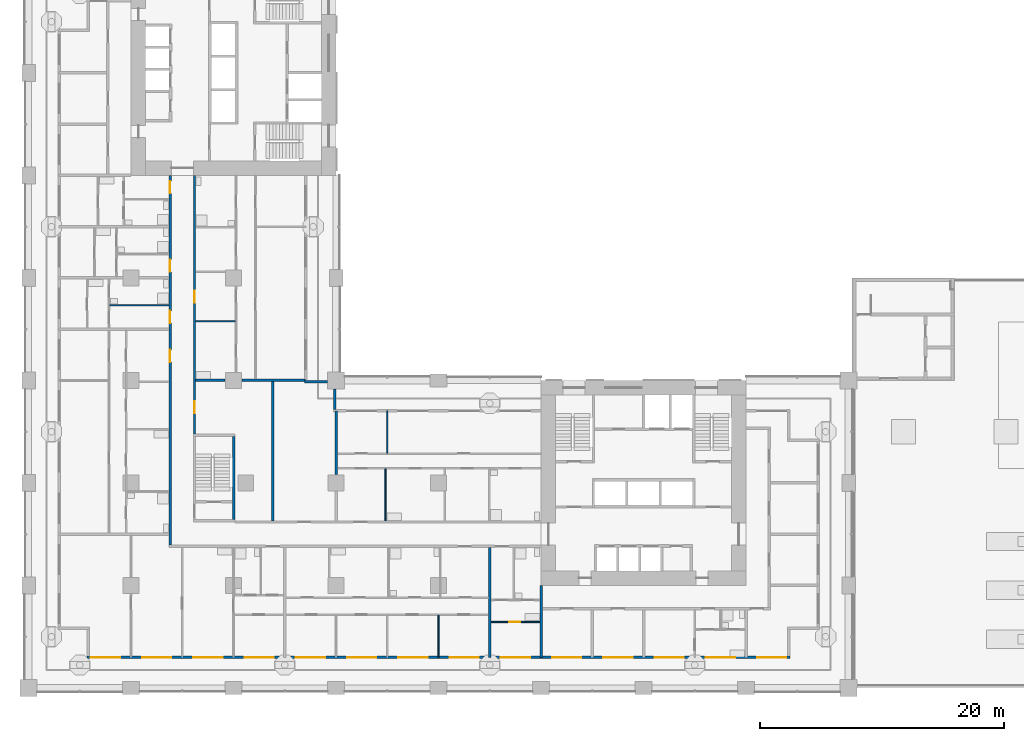
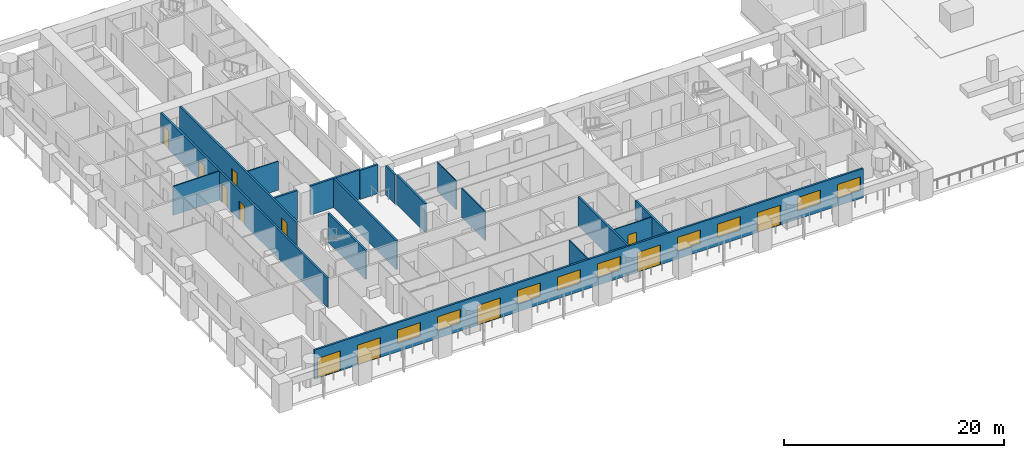
# One storey, part 5 of 23: 18 walls, 12 doors, 9 windows, 21 openings.
"""IFC4 building model written with IfcOpenShell, lengths in metres."""

from ifc_helpers import new_model, si_unit, direction, frame, frame_2d, origin, place, context, subcontext, project, spatial, rectangle, extrude, material, layer, layer_set, type_object, element, fill, save


model = new_model("IFC4")

# Units and contexts
model_context = context("Model", 3, precision=1e-05, world=origin(), true_north=direction((0.0, 1.0)))
body_context = subcontext(model_context, "Body", "Model", "MODEL_VIEW")
ifc_project = project(units=[si_unit("LENGTHUNIT", "METRE"), si_unit("AREAUNIT", "SQUARE_METRE"), si_unit("VOLUMEUNIT", "CUBIC_METRE"), si_unit("PLANEANGLEUNIT", "RADIAN"), si_unit("MASSUNIT", "GRAM", prefix="KILO")], contexts=[model_context])

# Site, building, storey
site_placement = place(None, origin())
site = spatial("IfcSite", under=ifc_project, at=site_placement, CompositionType="ELEMENT")
building_placement = place(site_placement, origin())
building = spatial("IfcBuilding", under=site, at=building_placement, Name="Vermilion Gate Residences", CompositionType="ELEMENT")
storey_placement = place(building_placement, frame((0.0, 0.0, 25.199951171875)))
storey = spatial("IfcBuildingStorey", under=building, at=storey_placement, Name="L04", CompositionType="ELEMENT", Elevation=25.199951171875)

# Wall, openings, doors, windows
ifc_material_1 = material(Name="Insulated steel stud wall with terracotta rainscreen", Category="masonry")
ifc_layer_1 = layer(ifc_material_1, 0.199951171875)
ifc_layer_set_1 = layer_set([ifc_layer_1], Name="EXTERNAL WALL 200 TERRACOTTA RAINSCREEN")
wall_type_1 = type_object("IfcWallType", Name="EXTERNAL WALL 200 TERRACOTTA RAINSCREEN", PredefinedType="SOLIDWALL", material=ifc_layer_set_1)
wall_1_placement = place(storey_placement, frame((4.800048828125, 2.5, 0.0), z_axis=(0.0, 0.0, 1.0), x_axis=(1.0, 0.0, 0.0)))
wall_1 = element("IfcWall", 1, at=wall_1_placement, inside=storey, type_object=wall_type_1, Name="External wall", PredefinedType="SOLIDWALL", context=body_context, shape_type="SweptSolid", body=[
    extrude(rectangle(XDim=57.599853515625, YDim=0.199951171875, at=frame_2d((28.7998046875, 0.0))), origin(), (0.0, 0.0, 1.0), 3.219970703125),
])
opening_1_placement = place(wall_1_placement, frame((0.300048828125, 0.0, 0.0)))
opening_1 = element("IfcOpeningElement", 2, at=opening_1_placement, cuts=wall_1, Name="Opening DE04014", PredefinedType="OPENING", context=body_context, shape_type="SweptSolid", body=[
    extrude(rectangle(XDim=2.39990234375, YDim=2.199951171875, at=frame_2d((1.199951171875, 1.10009765625))), frame((0.0, 0.10986328125, 0.0), z_axis=(0.0, -1.0, 0.0), x_axis=(1.0, 0.0, 0.0)), (0.0, 0.0, 1.0), 0.219970703125),
])
opening_2_placement = place(wall_1_placement, frame((4.5, 0.0, 0.0)))
opening_2 = element("IfcOpeningElement", 3, at=opening_2_placement, cuts=wall_1, Name="Opening DE04015", PredefinedType="OPENING", context=body_context, shape_type="SweptSolid", body=[
    extrude(rectangle(XDim=2.39990234375, YDim=2.199951171875, at=frame_2d((1.199951171875, 1.10009765625))), frame((0.0, 0.10986328125, 0.0), z_axis=(0.0, -1.0, 0.0), x_axis=(1.0, 0.0, 0.0)), (0.0, 0.0, 1.0), 0.219970703125),
])
opening_3_placement = place(wall_1_placement, frame((8.699951171875, 0.0, 0.89990234375)))
opening_3 = element("IfcOpeningElement", 4, at=opening_3_placement, cuts=wall_1, Name="Opening WE04016", PredefinedType="OPENING", context=body_context, shape_type="SweptSolid", body=[
    extrude(rectangle(XDim=2.39990234375, YDim=1.5, at=frame_2d((1.199951171875, 0.75))), frame((0.0, 0.10986328125, 0.0), z_axis=(0.0, -1.0, 0.0), x_axis=(1.0, 0.0, 0.0)), (0.0, 0.0, 1.0), 0.219970703125),
])
opening_4_placement = place(wall_1_placement, frame((12.89990234375, 0.0, 0.89990234375)))
opening_4 = element("IfcOpeningElement", 5, at=opening_4_placement, cuts=wall_1, Name="Opening WE04017", PredefinedType="OPENING", context=body_context, shape_type="SweptSolid", body=[
    extrude(rectangle(XDim=2.39990234375, YDim=1.5, at=frame_2d((1.199951171875, 0.75))), frame((0.0, 0.10986328125, 0.0), z_axis=(0.0, -1.0, 0.0), x_axis=(1.0, 0.0, 0.0)), (0.0, 0.0, 1.0), 0.219970703125),
])
opening_5_placement = place(wall_1_placement, frame((17.10009765625, 0.0, 0.0)))
opening_5 = element("IfcOpeningElement", 6, at=opening_5_placement, cuts=wall_1, Name="Opening DE04018", PredefinedType="OPENING", context=body_context, shape_type="SweptSolid", body=[
    extrude(rectangle(XDim=2.39990234375, YDim=2.199951171875, at=frame_2d((1.199951171875, 1.10009765625))), frame((0.0, 0.10986328125, 0.0), z_axis=(0.0, -1.0, 0.0), x_axis=(1.0, 0.0, 0.0)), (0.0, 0.0, 1.0), 0.219970703125),
])
opening_6_placement = place(wall_1_placement, frame((21.300048828125, 0.0, 0.89990234375)))
opening_6 = element("IfcOpeningElement", 7, at=opening_6_placement, cuts=wall_1, Name="Opening WE04019", PredefinedType="OPENING", context=body_context, shape_type="SweptSolid", body=[
    extrude(rectangle(XDim=2.39990234375, YDim=1.5, at=frame_2d((1.199951171875, 0.75))), frame((0.0, 0.10986328125, 0.0), z_axis=(0.0, -1.0, 0.0), x_axis=(1.0, 0.0, 0.0)), (0.0, 0.0, 1.0), 0.219970703125),
])
opening_7_placement = place(wall_1_placement, frame((25.5, 0.0, 0.89990234375)))
opening_7 = element("IfcOpeningElement", 8, at=opening_7_placement, cuts=wall_1, Name="Opening WE04020", PredefinedType="OPENING", context=body_context, shape_type="SweptSolid", body=[
    extrude(rectangle(XDim=2.39990234375, YDim=1.5, at=frame_2d((1.199951171875, 0.75))), frame((0.0, 0.10986328125, 0.0), z_axis=(0.0, -1.0, 0.0), x_axis=(1.0, 0.0, 0.0)), (0.0, 0.0, 1.0), 0.219970703125),
])
opening_8_placement = place(wall_1_placement, frame((29.699951171875, 0.0, 0.89990234375)))
opening_8 = element("IfcOpeningElement", 9, at=opening_8_placement, cuts=wall_1, Name="Opening WE04021", PredefinedType="OPENING", context=body_context, shape_type="SweptSolid", body=[
    extrude(rectangle(XDim=2.39990234375, YDim=1.5, at=frame_2d((1.199951171875, 0.75))), frame((0.0, 0.10986328125, 0.0), z_axis=(0.0, -1.0, 0.0), x_axis=(1.0, 0.0, 0.0)), (0.0, 0.0, 1.0), 0.219970703125),
])
opening_9_placement = place(wall_1_placement, frame((33.89990234375, 0.0, 0.0)))
opening_9 = element("IfcOpeningElement", 10, at=opening_9_placement, cuts=wall_1, Name="Opening DE04022", PredefinedType="OPENING", context=body_context, shape_type="SweptSolid", body=[
    extrude(rectangle(XDim=2.39990234375, YDim=2.199951171875, at=frame_2d((1.199951171875, 1.10009765625))), frame((0.0, 0.10986328125, 0.0), z_axis=(0.0, -1.0, 0.0), x_axis=(1.0, 0.0, 0.0)), (0.0, 0.0, 1.0), 0.219970703125),
])
opening_10_placement = place(wall_1_placement, frame((38.10009765625, 0.0, 0.89990234375)))
opening_10 = element("IfcOpeningElement", 11, at=opening_10_placement, cuts=wall_1, Name="Opening WE04023", PredefinedType="OPENING", context=body_context, shape_type="SweptSolid", body=[
    extrude(rectangle(XDim=2.39990234375, YDim=1.5, at=frame_2d((1.199951171875, 0.75))), frame((0.0, 0.10986328125, 0.0), z_axis=(0.0, -1.0, 0.0), x_axis=(1.0, 0.0, 0.0)), (0.0, 0.0, 1.0), 0.219970703125),
])
opening_11_placement = place(wall_1_placement, frame((42.300048828125, 0.0, 0.89990234375)))
opening_11 = element("IfcOpeningElement", 12, at=opening_11_placement, cuts=wall_1, Name="Opening WE04024", PredefinedType="OPENING", context=body_context, shape_type="SweptSolid", body=[
    extrude(rectangle(XDim=2.39990234375, YDim=1.5, at=frame_2d((1.199951171875, 0.75))), frame((0.0, 0.10986328125, 0.0), z_axis=(0.0, -1.0, 0.0), x_axis=(1.0, 0.0, 0.0)), (0.0, 0.0, 1.0), 0.219970703125),
])
opening_12_placement = place(wall_1_placement, frame((46.5, 0.0, 0.0)))
opening_12 = element("IfcOpeningElement", 13, at=opening_12_placement, cuts=wall_1, Name="Opening DE04025", PredefinedType="OPENING", context=body_context, shape_type="SweptSolid", body=[
    extrude(rectangle(XDim=2.39990234375, YDim=2.199951171875, at=frame_2d((1.199951171875, 1.10009765625))), frame((0.0, 0.10986328125, 0.0), z_axis=(0.0, -1.0, 0.0), x_axis=(1.0, 0.0, 0.0)), (0.0, 0.0, 1.0), 0.219970703125),
])
opening_13_placement = place(wall_1_placement, frame((50.699951171875, 0.0, 0.89990234375)))
opening_13 = element("IfcOpeningElement", 14, at=opening_13_placement, cuts=wall_1, Name="Opening WE04026", PredefinedType="OPENING", context=body_context, shape_type="SweptSolid", body=[
    extrude(rectangle(XDim=2.39990234375, YDim=1.5, at=frame_2d((1.199951171875, 0.75))), frame((0.0, 0.10986328125, 0.0), z_axis=(0.0, -1.0, 0.0), x_axis=(1.0, 0.0, 0.0)), (0.0, 0.0, 1.0), 0.219970703125),
])
opening_14_placement = place(wall_1_placement, frame((54.89990234375, 0.0, 0.89990234375)))
opening_14 = element("IfcOpeningElement", 15, at=opening_14_placement, cuts=wall_1, Name="Opening WE04027", PredefinedType="OPENING", context=body_context, shape_type="SweptSolid", body=[
    extrude(rectangle(XDim=2.39990234375, YDim=1.5, at=frame_2d((1.199951171875, 0.75))), frame((0.0, 0.10986328125, 0.0), z_axis=(0.0, -1.0, 0.0), x_axis=(1.0, 0.0, 0.0)), (0.0, 0.0, 1.0), 0.219970703125),
])
ifc_material_2 = material(Name="Aluminium and clear glass", Category="aluminium")
door_type_1 = type_object("IfcDoorType", Name="SLIDING GLAZED DOOR 2400 X 2200", OperationType="DOUBLE_DOOR_SLIDING", PredefinedType="DOOR", material=ifc_material_2)
door_1_placement = place(opening_1_placement, origin())
door_1 = element("IfcDoor", 16, at=door_1_placement, inside=storey, type_object=door_type_1, Name="Loggia sliding door", OperationType="DOUBLE_DOOR_SLIDING", OverallHeight=2.199951171875, OverallWidth=2.39990234375, PredefinedType="DOOR", context=body_context, shape_type="SweptSolid", body=[
    extrude(rectangle(XDim=2.39990234375, YDim=2.199951171875, at=frame_2d((1.199951171875, 1.10009765625))), frame((0.0, 0.02490234375, 0.0), z_axis=(0.0, -1.0, 0.0), x_axis=(1.0, 0.0, 0.0)), (0.0, 0.0, 1.0), 0.050048828125),
])
fill(opening_1, door_1)
door_2_placement = place(opening_2_placement, origin())
door_2 = element("IfcDoor", 17, at=door_2_placement, inside=storey, type_object=door_type_1, Name="Loggia sliding door", OperationType="DOUBLE_DOOR_SLIDING", OverallHeight=2.199951171875, OverallWidth=2.39990234375, PredefinedType="DOOR", context=body_context, shape_type="SweptSolid", body=[
    extrude(rectangle(XDim=2.39990234375, YDim=2.199951171875, at=frame_2d((1.199951171875, 1.10009765625))), frame((0.0, 0.02490234375, 0.0), z_axis=(0.0, -1.0, 0.0), x_axis=(1.0, 0.0, 0.0)), (0.0, 0.0, 1.0), 0.050048828125),
])
fill(opening_2, door_2)
door_3_placement = place(opening_5_placement, origin())
door_3 = element("IfcDoor", 18, at=door_3_placement, inside=storey, type_object=door_type_1, Name="Loggia sliding door", OperationType="DOUBLE_DOOR_SLIDING", OverallHeight=2.199951171875, OverallWidth=2.39990234375, PredefinedType="DOOR", context=body_context, shape_type="SweptSolid", body=[
    extrude(rectangle(XDim=2.39990234375, YDim=2.199951171875, at=frame_2d((1.199951171875, 1.10009765625))), frame((0.0, 0.02490234375, 0.0), z_axis=(0.0, -1.0, 0.0), x_axis=(1.0, 0.0, 0.0)), (0.0, 0.0, 1.0), 0.050048828125),
])
fill(opening_5, door_3)
door_4_placement = place(opening_9_placement, origin())
door_4 = element("IfcDoor", 19, at=door_4_placement, inside=storey, type_object=door_type_1, Name="Loggia sliding door", OperationType="DOUBLE_DOOR_SLIDING", OverallHeight=2.199951171875, OverallWidth=2.39990234375, PredefinedType="DOOR", context=body_context, shape_type="SweptSolid", body=[
    extrude(rectangle(XDim=2.39990234375, YDim=2.199951171875, at=frame_2d((1.199951171875, 1.10009765625))), frame((0.0, 0.02490234375, 0.0), z_axis=(0.0, -1.0, 0.0), x_axis=(1.0, 0.0, 0.0)), (0.0, 0.0, 1.0), 0.050048828125),
])
fill(opening_9, door_4)
door_5_placement = place(opening_12_placement, origin())
door_5 = element("IfcDoor", 20, at=door_5_placement, inside=storey, type_object=door_type_1, Name="Loggia sliding door", OperationType="DOUBLE_DOOR_SLIDING", OverallHeight=2.199951171875, OverallWidth=2.39990234375, PredefinedType="DOOR", context=body_context, shape_type="SweptSolid", body=[
    extrude(rectangle(XDim=2.39990234375, YDim=2.199951171875, at=frame_2d((1.199951171875, 1.10009765625))), frame((0.0, 0.02490234375, 0.0), z_axis=(0.0, -1.0, 0.0), x_axis=(1.0, 0.0, 0.0)), (0.0, 0.0, 1.0), 0.050048828125),
])
fill(opening_12, door_5)
ifc_material_3 = material(Name="Aluminium and clear glass", Category="aluminium")
window_type = type_object("IfcWindowType", Name="WINDOW 2400 X 1500", PartitioningType="SINGLE_PANEL", PredefinedType="WINDOW", material=ifc_material_3)
window_1_placement = place(opening_3_placement, origin())
window_1 = element("IfcWindow", 21, at=window_1_placement, inside=storey, type_object=window_type, Name="Window", OverallHeight=1.5, OverallWidth=2.39990234375, PartitioningType="SINGLE_PANEL", PredefinedType="WINDOW", context=body_context, shape_type="SweptSolid", body=[
    extrude(rectangle(XDim=2.39990234375, YDim=1.5, at=frame_2d((1.199951171875, 0.75))), frame((0.0, 0.030029296875, 0.0), z_axis=(0.0, -1.0, 0.0), x_axis=(1.0, 0.0, 0.0)), (0.0, 0.0, 1.0), 0.06005859375),
])
fill(opening_3, window_1)
window_2_placement = place(opening_4_placement, origin())
window_2 = element("IfcWindow", 22, at=window_2_placement, inside=storey, type_object=window_type, Name="Window", OverallHeight=1.5, OverallWidth=2.39990234375, PartitioningType="SINGLE_PANEL", PredefinedType="WINDOW", context=body_context, shape_type="SweptSolid", body=[
    extrude(rectangle(XDim=2.39990234375, YDim=1.5, at=frame_2d((1.199951171875, 0.75))), frame((0.0, 0.030029296875, 0.0), z_axis=(0.0, -1.0, 0.0), x_axis=(1.0, 0.0, 0.0)), (0.0, 0.0, 1.0), 0.06005859375),
])
fill(opening_4, window_2)
window_3_placement = place(opening_6_placement, origin())
window_3 = element("IfcWindow", 23, at=window_3_placement, inside=storey, type_object=window_type, Name="Window", OverallHeight=1.5, OverallWidth=2.39990234375, PartitioningType="SINGLE_PANEL", PredefinedType="WINDOW", context=body_context, shape_type="SweptSolid", body=[
    extrude(rectangle(XDim=2.39990234375, YDim=1.5, at=frame_2d((1.199951171875, 0.75))), frame((0.0, 0.030029296875, 0.0), z_axis=(0.0, -1.0, 0.0), x_axis=(1.0, 0.0, 0.0)), (0.0, 0.0, 1.0), 0.06005859375),
])
fill(opening_6, window_3)
window_4_placement = place(opening_7_placement, origin())
window_4 = element("IfcWindow", 24, at=window_4_placement, inside=storey, type_object=window_type, Name="Window", OverallHeight=1.5, OverallWidth=2.39990234375, PartitioningType="SINGLE_PANEL", PredefinedType="WINDOW", context=body_context, shape_type="SweptSolid", body=[
    extrude(rectangle(XDim=2.39990234375, YDim=1.5, at=frame_2d((1.199951171875, 0.75))), frame((0.0, 0.030029296875, 0.0), z_axis=(0.0, -1.0, 0.0), x_axis=(1.0, 0.0, 0.0)), (0.0, 0.0, 1.0), 0.06005859375),
])
fill(opening_7, window_4)
window_5_placement = place(opening_8_placement, origin())
window_5 = element("IfcWindow", 25, at=window_5_placement, inside=storey, type_object=window_type, Name="Window", OverallHeight=1.5, OverallWidth=2.39990234375, PartitioningType="SINGLE_PANEL", PredefinedType="WINDOW", context=body_context, shape_type="SweptSolid", body=[
    extrude(rectangle(XDim=2.39990234375, YDim=1.5, at=frame_2d((1.199951171875, 0.75))), frame((0.0, 0.030029296875, 0.0), z_axis=(0.0, -1.0, 0.0), x_axis=(1.0, 0.0, 0.0)), (0.0, 0.0, 1.0), 0.06005859375),
])
fill(opening_8, window_5)
window_6_placement = place(opening_10_placement, origin())
window_6 = element("IfcWindow", 26, at=window_6_placement, inside=storey, type_object=window_type, Name="Window", OverallHeight=1.5, OverallWidth=2.39990234375, PartitioningType="SINGLE_PANEL", PredefinedType="WINDOW", context=body_context, shape_type="SweptSolid", body=[
    extrude(rectangle(XDim=2.39990234375, YDim=1.5, at=frame_2d((1.199951171875, 0.75))), frame((0.0, 0.030029296875, 0.0), z_axis=(0.0, -1.0, 0.0), x_axis=(1.0, 0.0, 0.0)), (0.0, 0.0, 1.0), 0.06005859375),
])
fill(opening_10, window_6)
window_7_placement = place(opening_11_placement, origin())
window_7 = element("IfcWindow", 27, at=window_7_placement, inside=storey, type_object=window_type, Name="Window", OverallHeight=1.5, OverallWidth=2.39990234375, PartitioningType="SINGLE_PANEL", PredefinedType="WINDOW", context=body_context, shape_type="SweptSolid", body=[
    extrude(rectangle(XDim=2.39990234375, YDim=1.5, at=frame_2d((1.199951171875, 0.75))), frame((0.0, 0.030029296875, 0.0), z_axis=(0.0, -1.0, 0.0), x_axis=(1.0, 0.0, 0.0)), (0.0, 0.0, 1.0), 0.06005859375),
])
fill(opening_11, window_7)
window_8_placement = place(opening_13_placement, origin())
window_8 = element("IfcWindow", 28, at=window_8_placement, inside=storey, type_object=window_type, Name="Window", OverallHeight=1.5, OverallWidth=2.39990234375, PartitioningType="SINGLE_PANEL", PredefinedType="WINDOW", context=body_context, shape_type="SweptSolid", body=[
    extrude(rectangle(XDim=2.39990234375, YDim=1.5, at=frame_2d((1.199951171875, 0.75))), frame((0.0, 0.030029296875, 0.0), z_axis=(0.0, -1.0, 0.0), x_axis=(1.0, 0.0, 0.0)), (0.0, 0.0, 1.0), 0.06005859375),
])
fill(opening_13, window_8)
window_9_placement = place(opening_14_placement, origin())
window_9 = element("IfcWindow", 29, at=window_9_placement, inside=storey, type_object=window_type, Name="Window", OverallHeight=1.5, OverallWidth=2.39990234375, PartitioningType="SINGLE_PANEL", PredefinedType="WINDOW", context=body_context, shape_type="SweptSolid", body=[
    extrude(rectangle(XDim=2.39990234375, YDim=1.5, at=frame_2d((1.199951171875, 0.75))), frame((0.0, 0.030029296875, 0.0), z_axis=(0.0, -1.0, 0.0), x_axis=(1.0, 0.0, 0.0)), (0.0, 0.0, 1.0), 0.06005859375),
])
fill(opening_14, window_9)

# Walls
wall_2_placement = place(storey_placement, frame((25.10009765625, 22.800048828125, 0.0), z_axis=(0.0, 0.0, 1.0), x_axis=(0.0, 1.0, 0.0)))
element("IfcWall", 30, at=wall_2_placement, inside=storey, type_object=wall_type_1, Name="External wall", PredefinedType="SOLIDWALL", context=body_context, shape_type="SweptSolid", body=[
    extrude(rectangle(XDim=1.699951171875, YDim=0.199951171875, at=frame_2d((0.85009765625, 0.0))), origin(), (0.0, 0.0, 1.0), 3.219970703125),
])
wall_3_placement = place(storey_placement, frame((24.5, 25.10009765625, 0.0), z_axis=(0.0, 0.0, 1.0), x_axis=(-1.0, 0.0, 0.0)))
element("IfcWall", 31, at=wall_3_placement, inside=storey, type_object=wall_type_1, Name="External wall", PredefinedType="SOLIDWALL", context=body_context, shape_type="SweptSolid", body=[
    extrude(rectangle(XDim=1.89990234375, YDim=0.199951171875, at=frame_2d((0.949951171875, 0.0))), origin(), (0.0, 0.0, 1.0), 3.219970703125),
])

# Wall, opening, door
ifc_material_4 = material(Name="Plasterboard on steel studs", Category="steel")
ifc_layer_2 = layer(ifc_material_4, 0.10009765625)
ifc_layer_set_2 = layer_set([ifc_layer_2], Name="PARTITION 100")
wall_type_2 = type_object("IfcWallType", Name="PARTITION 100", PredefinedType="PARTITIONING", material=ifc_layer_set_2)
wall_4_placement = place(storey_placement, frame((37.89990234375, 5.39990234375, 0.0), z_axis=(0.0, 0.0, 1.0), x_axis=(1.0, 0.0, 0.0)))
wall_4 = element("IfcWall", 32, at=wall_4_placement, inside=storey, type_object=wall_type_2, Name="Partition", PredefinedType="PARTITIONING", context=body_context, shape_type="SweptSolid", body=[
    extrude(rectangle(XDim=4.0, YDim=0.10009765625, at=frame_2d((2.0, 0.0))), origin(), (0.0, 0.0, 1.0), 3.219970703125),
])
opening_15_placement = place(wall_4_placement, frame((1.5, 0.0, 0.0)))
opening_15 = element("IfcOpeningElement", 33, at=opening_15_placement, cuts=wall_4, Name="Opening DA04003", PredefinedType="OPENING", context=body_context, shape_type="SweptSolid", body=[
    extrude(rectangle(XDim=0.89990234375, YDim=2.10009765625, at=frame_2d((0.449951171875, 1.050048828125))), frame((0.0, 0.06005859375, 0.0), z_axis=(0.0, -1.0, 0.0), x_axis=(1.0, 0.0, 0.0)), (0.0, 0.0, 1.0), 0.1201171875),
])
ifc_material_5 = material(Name="Timber", Category="wood")
door_type_2 = type_object("IfcDoorType", Name="INTERIOR DOOR 900 X 2100", OperationType="SINGLE_SWING_LEFT", PredefinedType="DOOR", material=ifc_material_5)
door_6_placement = place(opening_15_placement, origin())
door_6 = element("IfcDoor", 34, at=door_6_placement, inside=storey, type_object=door_type_2, Name="Interior door", OperationType="SINGLE_SWING_RIGHT", OverallHeight=2.10009765625, OverallWidth=0.89990234375, PredefinedType="DOOR", context=body_context, shape_type="SweptSolid", body=[
    extrude(rectangle(XDim=0.89990234375, YDim=2.10009765625, at=frame_2d((0.449951171875, 1.050048828125))), frame((0.0, 0.02490234375, 0.0), z_axis=(0.0, -1.0, 0.0), x_axis=(1.0, 0.0, 0.0)), (0.0, 0.0, 1.0), 0.050048828125),
])
fill(opening_15, door_6)

# Walls
wall_5_placement = place(storey_placement, frame((13.699951171875, 30.050048828125, 0.0), z_axis=(0.0, 0.0, 1.0), x_axis=(1.0, 0.0, 0.0)))
element("IfcWall", 35, at=wall_5_placement, inside=storey, type_object=wall_type_2, Name="Partition", PredefinedType="PARTITIONING", context=body_context, shape_type="SweptSolid", body=[
    extrude(rectangle(XDim=3.25, YDim=0.10009765625, at=frame_2d((1.625, 0.0))), origin(), (0.0, 0.0, 1.0), 3.219970703125),
])
wall_6_placement = place(storey_placement, frame((6.64990234375, 31.360107421875, 0.0), z_axis=(0.0, 0.0, 1.0), x_axis=(1.0, 0.0, 0.0)))
element("IfcWall", 36, at=wall_6_placement, inside=storey, type_object=wall_type_2, Name="Partition", PredefinedType="PARTITIONING", context=body_context, shape_type="SweptSolid", body=[
    extrude(rectangle(XDim=4.85009765625, YDim=0.10009765625, at=frame_2d((2.425048828125, 0.0))), origin(), (0.0, 0.0, 1.0), 3.219970703125),
])
wall_7_placement = place(storey_placement, frame((29.25, 13.699951171875, 0.0), z_axis=(0.0, 0.0, 1.0), x_axis=(0.0, 1.0, 0.0)))
element("IfcWall", 37, at=wall_7_placement, inside=storey, type_object=wall_type_2, Name="Partition", PredefinedType="PARTITIONING", context=body_context, shape_type="SweptSolid", body=[
    extrude(rectangle(XDim=4.25, YDim=0.10009765625, at=frame_2d((2.125, 0.0))), origin(), (0.0, 0.0, 1.0), 3.219970703125),
])
for number, where, z_axis, x_axis, name in (
    (38, (29.39990234375, 19.25, 0.0), (0.0, 0.0, 1.0), (0.0, 1.0, 0.0), "Partition"),
    (39, (33.60009765625, 2.5, 0.0), (0.0, 0.0, 1.0), (0.0, 1.0, 0.0), "Partition"),
):
    element("IfcWall", number, at=place(storey_placement, frame(where, z_axis=z_axis, x_axis=x_axis)), inside=storey, type_object=wall_type_2, Name=name, PredefinedType="PARTITIONING", context=body_context, shape_type="SweptSolid", body=[
        extrude(rectangle(XDim=3.449951171875, YDim=0.10009765625, at=frame_2d((1.72509765625, 0.0))), origin(), (0.0, 0.0, 1.0), 3.219970703125),
    ])
ifc_material_6 = material(Name="Fire-rated plasterboard on steel studs", Category="steel")
ifc_layer_3 = layer(ifc_material_6, 0.199951171875)
ifc_layer_set_3 = layer_set([ifc_layer_3], Name="PARTY WALL 200 EI 120")
wall_type_3 = type_object("IfcWallType", Name="PARTY WALL 200 EI 120", PredefinedType="PARTITIONING", material=ifc_layer_set_3)
wall_8_placement = place(storey_placement, frame((13.699951171875, 25.199951171875, 0.0), z_axis=(0.0, 0.0, 1.0), x_axis=(1.0, 0.0, 0.0)))
element("IfcWall", 40, at=wall_8_placement, inside=storey, type_object=wall_type_3, Name="Party and corridor wall", PredefinedType="PARTITIONING", context=body_context, shape_type="SweptSolid", body=[
    extrude(rectangle(XDim=2.400146484375, YDim=0.199951171875, at=frame_2d((1.2001953125, 0.0))), origin(), (0.0, 0.0, 1.0), 3.219970703125),
])
wall_9_placement = place(storey_placement, frame((17.5, 25.199951171875, 0.0), z_axis=(0.0, 0.0, 1.0), x_axis=(1.0, 0.0, 0.0)))
element("IfcWall", 41, at=wall_9_placement, inside=storey, type_object=wall_type_3, Name="Party and corridor wall", PredefinedType="PARTITIONING", context=body_context, shape_type="SweptSolid", body=[
    extrude(rectangle(XDim=5.199951171875, YDim=0.199951171875, at=frame_2d((2.60009765625, 0.0))), origin(), (0.0, 0.0, 1.0), 3.219970703125),
])

# Wall, openings, doors
wall_10_placement = place(storey_placement, frame((11.60009765625, 11.699951171875, 0.0), z_axis=(0.0, 0.0, 1.0), x_axis=(0.0, 1.0, 0.0)))
wall_10 = element("IfcWall", 42, at=wall_10_placement, inside=storey, type_object=wall_type_3, Name="Party and corridor wall", PredefinedType="PARTITIONING", context=body_context, shape_type="SweptSolid", body=[
    extrude(rectangle(XDim=30.300048828125, YDim=0.199951171875, at=frame_2d((15.14990234375, 0.0))), origin(), (0.0, 0.0, 1.0), 3.219970703125),
])
opening_16_placement = place(wall_10_placement, frame((15.0, 0.0, 0.0)))
opening_16 = element("IfcOpeningElement", 43, at=opening_16_placement, cuts=wall_10, Name="Opening DA04051", PredefinedType="OPENING", context=body_context, shape_type="SweptSolid", body=[
    extrude(rectangle(XDim=1.0, YDim=2.10009765625, at=frame_2d((0.5, 1.050048828125))), frame((0.0, 0.10986328125, 0.0), z_axis=(0.0, -1.0, 0.0), x_axis=(1.0, 0.0, 0.0)), (0.0, 0.0, 1.0), 0.219970703125),
])
opening_17_placement = place(wall_10_placement, frame((18.199951171875, 0.0, 0.0)))
opening_17 = element("IfcOpeningElement", 44, at=opening_17_placement, cuts=wall_10, Name="Opening DA04052", PredefinedType="OPENING", context=body_context, shape_type="SweptSolid", body=[
    extrude(rectangle(XDim=1.0, YDim=2.10009765625, at=frame_2d((0.5, 1.050048828125))), frame((0.0, 0.10986328125, 0.0), z_axis=(0.0, -1.0, 0.0), x_axis=(1.0, 0.0, 0.0)), (0.0, 0.0, 1.0), 0.219970703125),
])
opening_18_placement = place(wall_10_placement, frame((22.39990234375, 0.0, 0.0)))
opening_18 = element("IfcOpeningElement", 45, at=opening_18_placement, cuts=wall_10, Name="Opening DA04053", PredefinedType="OPENING", context=body_context, shape_type="SweptSolid", body=[
    extrude(rectangle(XDim=1.0, YDim=2.10009765625, at=frame_2d((0.5, 1.050048828125))), frame((0.0, 0.10986328125, 0.0), z_axis=(0.0, -1.0, 0.0), x_axis=(1.0, 0.0, 0.0)), (0.0, 0.0, 1.0), 0.219970703125),
])
opening_19_placement = place(wall_10_placement, frame((28.840087890625, 0.0, 0.0)))
opening_19 = element("IfcOpeningElement", 46, at=opening_19_placement, cuts=wall_10, Name="Opening DA04054", PredefinedType="OPENING", context=body_context, shape_type="SweptSolid", body=[
    extrude(rectangle(XDim=1.0, YDim=2.10009765625, at=frame_2d((0.5, 1.050048828125))), frame((0.0, 0.10986328125, 0.0), z_axis=(0.0, -1.0, 0.0), x_axis=(1.0, 0.0, 0.0)), (0.0, 0.0, 1.0), 0.219970703125),
])
ifc_material_7 = material(Name="Steel", Category="steel")
door_type_3 = type_object("IfcDoorType", Name="ENTRANCE DOOR 1000 X 2100 FD30", OperationType="SINGLE_SWING_LEFT", PredefinedType="DOOR", material=ifc_material_7)
door_7_placement = place(opening_16_placement, origin())
door_7 = element("IfcDoor", 47, at=door_7_placement, inside=storey, type_object=door_type_3, Name="Entrance door", OperationType="SINGLE_SWING_LEFT", OverallHeight=2.10009765625, OverallWidth=1.0, PredefinedType="DOOR", context=body_context, shape_type="SweptSolid", body=[
    extrude(rectangle(XDim=1.0, YDim=2.10009765625, at=frame_2d((0.5, 1.050048828125))), frame((0.0, 0.02490234375, 0.0), z_axis=(0.0, -1.0, 0.0), x_axis=(1.0, 0.0, 0.0)), (0.0, 0.0, 1.0), 0.050048828125),
])
fill(opening_16, door_7)
door_8_placement = place(opening_17_placement, origin())
door_8 = element("IfcDoor", 48, at=door_8_placement, inside=storey, type_object=door_type_3, Name="Entrance door", OperationType="SINGLE_SWING_LEFT", OverallHeight=2.10009765625, OverallWidth=1.0, PredefinedType="DOOR", context=body_context, shape_type="SweptSolid", body=[
    extrude(rectangle(XDim=1.0, YDim=2.10009765625, at=frame_2d((0.5, 1.050048828125))), frame((0.0, 0.02490234375, 0.0), z_axis=(0.0, -1.0, 0.0), x_axis=(1.0, 0.0, 0.0)), (0.0, 0.0, 1.0), 0.050048828125),
])
fill(opening_17, door_8)
door_9_placement = place(opening_18_placement, origin())
door_9 = element("IfcDoor", 49, at=door_9_placement, inside=storey, type_object=door_type_3, Name="Entrance door", OperationType="SINGLE_SWING_LEFT", OverallHeight=2.10009765625, OverallWidth=1.0, PredefinedType="DOOR", context=body_context, shape_type="SweptSolid", body=[
    extrude(rectangle(XDim=1.0, YDim=2.10009765625, at=frame_2d((0.5, 1.050048828125))), frame((0.0, 0.02490234375, 0.0), z_axis=(0.0, -1.0, 0.0), x_axis=(1.0, 0.0, 0.0)), (0.0, 0.0, 1.0), 0.050048828125),
])
fill(opening_18, door_9)
door_10_placement = place(opening_19_placement, origin())
door_10 = element("IfcDoor", 50, at=door_10_placement, inside=storey, type_object=door_type_3, Name="Entrance door", OperationType="SINGLE_SWING_LEFT", OverallHeight=2.10009765625, OverallWidth=1.0, PredefinedType="DOOR", context=body_context, shape_type="SweptSolid", body=[
    extrude(rectangle(XDim=1.0, YDim=2.10009765625, at=frame_2d((0.5, 1.050048828125))), frame((0.0, 0.02490234375, 0.0), z_axis=(0.0, -1.0, 0.0), x_axis=(1.0, 0.0, 0.0)), (0.0, 0.0, 1.0), 0.050048828125),
])
fill(opening_19, door_10)

wall_11_placement = place(storey_placement, frame((13.60009765625, 20.800048828125, 0.0), z_axis=(0.0, 0.0, 1.0), x_axis=(0.0, 1.0, 0.0)))
wall_11 = element("IfcWall", 51, at=wall_11_placement, inside=storey, type_object=wall_type_3, Name="Party and corridor wall", PredefinedType="PARTITIONING", context=body_context, shape_type="SweptSolid", body=[
    extrude(rectangle(XDim=21.199951171875, YDim=0.199951171875, at=frame_2d((10.60009765625, 0.0))), origin(), (0.0, 0.0, 1.0), 3.219970703125),
])
opening_20_placement = place(wall_11_placement, frame((10.75, 0.0, 0.0)))
opening_20 = element("IfcOpeningElement", 52, at=opening_20_placement, cuts=wall_11, Name="Opening DA04056", PredefinedType="OPENING", context=body_context, shape_type="SweptSolid", body=[
    extrude(rectangle(XDim=1.0, YDim=2.10009765625, at=frame_2d((0.5, 1.050048828125))), frame((0.0, 0.10986328125, 0.0), z_axis=(0.0, -1.0, 0.0), x_axis=(1.0, 0.0, 0.0)), (0.0, 0.0, 1.0), 0.219970703125),
])
opening_21_placement = place(wall_11_placement, frame((1.699951171875, 0.0, 0.0)))
opening_21 = element("IfcOpeningElement", 53, at=opening_21_placement, cuts=wall_11, Name="Opening DA04057", PredefinedType="OPENING", context=body_context, shape_type="SweptSolid", body=[
    extrude(rectangle(XDim=1.0, YDim=2.10009765625, at=frame_2d((0.5, 1.050048828125))), frame((0.0, 0.10986328125, 0.0), z_axis=(0.0, -1.0, 0.0), x_axis=(1.0, 0.0, 0.0)), (0.0, 0.0, 1.0), 0.219970703125),
])
door_11_placement = place(opening_20_placement, frame((1.0, 0.0, 0.0), z_axis=(0.0, 0.0, 1.0), x_axis=(-1.0, 0.0, 0.0)))
door_11 = element("IfcDoor", 54, at=door_11_placement, inside=storey, type_object=door_type_3, Name="Entrance door", OperationType="SINGLE_SWING_RIGHT", OverallHeight=2.10009765625, OverallWidth=1.0, PredefinedType="DOOR", context=body_context, shape_type="SweptSolid", body=[
    extrude(rectangle(XDim=1.0, YDim=2.10009765625, at=frame_2d((0.5, 1.050048828125))), frame((0.0, 0.02490234375, 0.0), z_axis=(0.0, -1.0, 0.0), x_axis=(1.0, 0.0, 0.0)), (0.0, 0.0, 1.0), 0.050048828125),
])
fill(opening_20, door_11)
door_12_placement = place(opening_21_placement, frame((1.0, 0.0, 0.0), z_axis=(0.0, 0.0, 1.0), x_axis=(-1.0, 0.0, 0.0)))
door_12 = element("IfcDoor", 55, at=door_12_placement, inside=storey, type_object=door_type_3, Name="Entrance door", OperationType="SINGLE_SWING_LEFT", OverallHeight=2.10009765625, OverallWidth=1.0, PredefinedType="DOOR", context=body_context, shape_type="SweptSolid", body=[
    extrude(rectangle(XDim=1.0, YDim=2.10009765625, at=frame_2d((0.5, 1.050048828125))), frame((0.0, 0.02490234375, 0.0), z_axis=(0.0, -1.0, 0.0), x_axis=(1.0, 0.0, 0.0)), (0.0, 0.0, 1.0), 0.050048828125),
])
fill(opening_21, door_12)

# Walls
wall_12_placement = place(storey_placement, frame((20.0, 13.699951171875, 0.0), z_axis=(0.0, 0.0, 1.0), x_axis=(0.0, 1.0, 0.0)))
element("IfcWall", 56, at=wall_12_placement, inside=storey, type_object=wall_type_3, Name="Party and corridor wall", PredefinedType="PARTITIONING", context=body_context, shape_type="SweptSolid", body=[
    extrude(rectangle(XDim=11.400146484375, YDim=0.199951171875, at=frame_2d((5.7001953125, 0.0))), origin(), (0.0, 0.0, 1.0), 3.219970703125),
])
wall_13_placement = place(storey_placement, frame((25.199951171875, 17.5, 0.0), z_axis=(0.0, 0.0, 1.0), x_axis=(0.0, 1.0, 0.0)))
element("IfcWall", 57, at=wall_13_placement, inside=storey, type_object=wall_type_3, Name="Party and corridor wall", PredefinedType="PARTITIONING", context=body_context, shape_type="SweptSolid", body=[
    extrude(rectangle(XDim=5.199951171875, YDim=0.199951171875, at=frame_2d((2.60009765625, 0.0))), origin(), (0.0, 0.0, 1.0), 3.219970703125),
])
wall_14_placement = place(storey_placement, frame((37.800048828125, 2.5, 0.0), z_axis=(0.0, 0.0, 1.0), x_axis=(0.0, 1.0, 0.0)))
element("IfcWall", 58, at=wall_14_placement, inside=storey, type_object=wall_type_3, Name="Party and corridor wall", PredefinedType="PARTITIONING", context=body_context, shape_type="SweptSolid", body=[
    extrude(rectangle(XDim=9.0, YDim=0.199951171875, at=frame_2d((4.5, 0.0))), origin(), (0.0, 0.0, 1.0), 3.219970703125),
])
wall_15_placement = place(storey_placement, frame((42.0, 2.5, 0.0), z_axis=(0.0, 0.0, 1.0), x_axis=(0.0, 1.0, 0.0)))
element("IfcWall", 59, at=wall_15_placement, inside=storey, type_object=wall_type_3, Name="Party and corridor wall", PredefinedType="PARTITIONING", context=body_context, shape_type="SweptSolid", body=[
    extrude(rectangle(XDim=5.89990234375, YDim=0.199951171875, at=frame_2d((2.949951171875, 0.0))), origin(), (0.0, 0.0, 1.0), 3.219970703125),
])
ifc_material_8 = material(Name="Concrete C60", Category="concrete")
ifc_layer_4 = layer(ifc_material_8, 0.199951171875)
ifc_layer_set_4 = layer_set([ifc_layer_4], Name="RC CORE INTERNAL WALL 200 C60")
wall_type_4 = type_object("IfcWallType", Name="RC CORE INTERNAL WALL 200 C60", PredefinedType="SHEAR", material=ifc_layer_set_4)
wall_16_placement = place(storey_placement, frame((16.800048828125, 13.800048828125, 0.0), z_axis=(0.0, 0.0, 1.0), x_axis=(0.0, 1.0, 0.0)))
element("IfcWall", 60, at=wall_16_placement, inside=storey, type_object=wall_type_4, Name="Core internal wall C04-E", PredefinedType="SHEAR", context=body_context, shape_type="SweptSolid", body=[
    extrude(rectangle(XDim=6.800048828125, YDim=0.199951171875, at=frame_2d((3.39990234375, 0.0))), origin(), (0.0, 0.0, 1.0), 3.219970703125),
])

save(model, "model.ifc")
